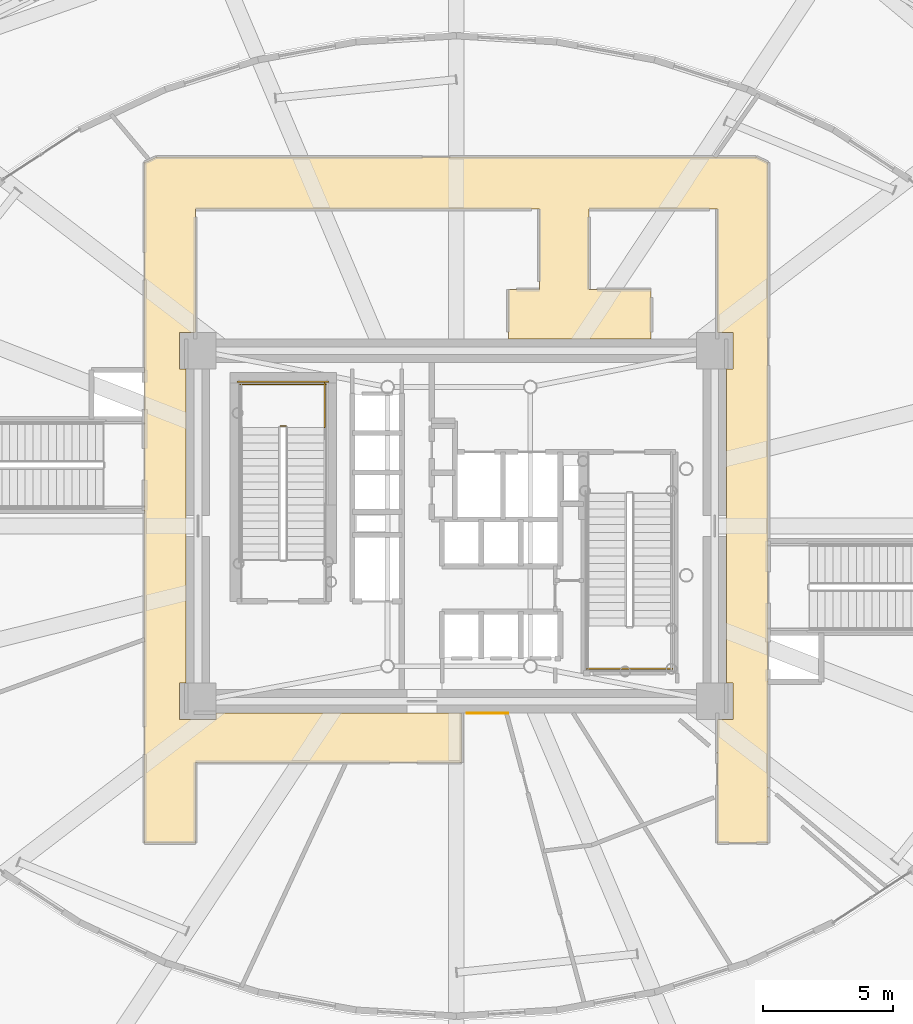
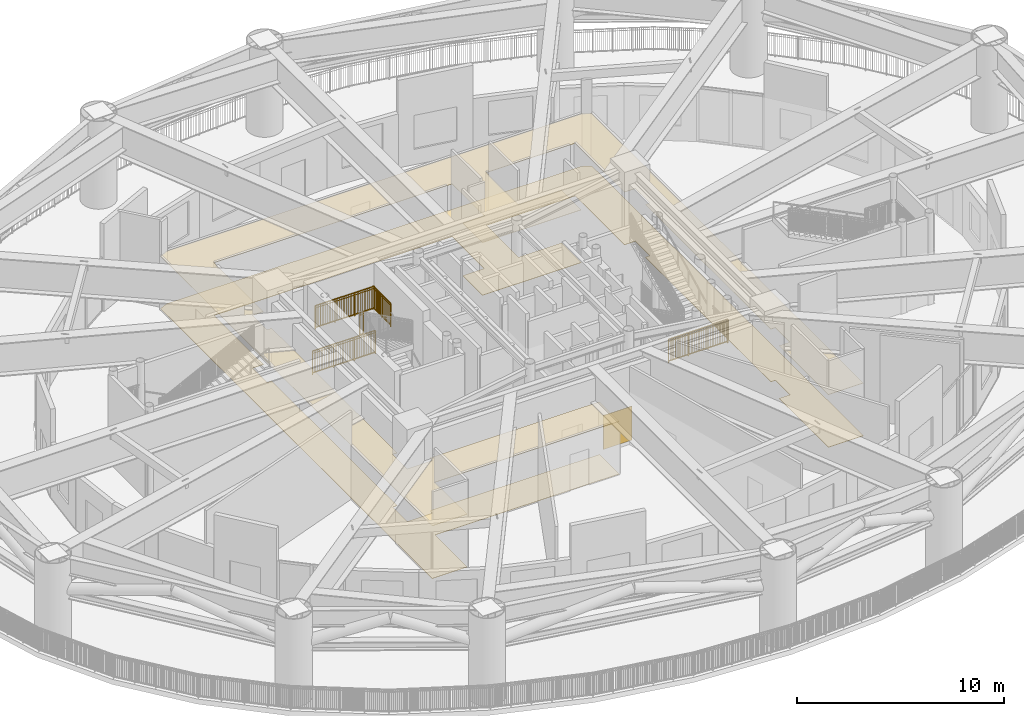
# One storey, part 33 of 39: 5 railings, 3 coverings.
"""IFC4 building model written with IfcOpenShell, lengths in metres."""

from ifc_helpers import new_model, si_unit, direction, frame, origin, origin_2d, place, context, subcontext, project, spatial, polyline, rectangle, outline, extrude, source, transform, mapped, material, layer, layer_set, type_object, element, save


model = new_model("IFC4")

# Units and contexts
model_context = context("Model", 3, precision=1e-05, world=origin(), true_north=direction((0.0, 1.0)))
body_context = subcontext(model_context, "Body", "Model", "MODEL_VIEW")
ifc_project = project(units=[si_unit("LENGTHUNIT", "METRE"), si_unit("AREAUNIT", "SQUARE_METRE"), si_unit("VOLUMEUNIT", "CUBIC_METRE"), si_unit("PLANEANGLEUNIT", "RADIAN"), si_unit("MASSUNIT", "GRAM", prefix="KILO")], contexts=[model_context])

# Site, building, storey
site_placement = place(None, origin())
site = spatial("IfcSite", under=ifc_project, at=site_placement, CompositionType="ELEMENT")
building_placement = place(site_placement, origin())
building = spatial("IfcBuilding", under=site, at=building_placement, Name="Linh Dai School and Residence Tower", CompositionType="ELEMENT")
storey_placement = place(building_placement, frame((0.0, 0.0, 27.0)))
storey = spatial("IfcBuildingStorey", under=building, at=storey_placement, Name="L06", CompositionType="ELEMENT", Elevation=27.0)

# Coverings
ifc_material_1 = material(Name="Mineral Fibre Acoustic Suspended Ceiling", Category="masonry")
ifc_layer_1 = layer(ifc_material_1, 0.02001953125)
ifc_layer_set_1 = layer_set([ifc_layer_1], Name="Mineral Fibre Acoustic Suspended Ceiling")
covering_type_1 = type_object("IfcCoveringType", Name="COV-CEIL-AC-20", PredefinedType="CEILING", material=ifc_layer_set_1)
covering_1_placement = place(storey_placement, frame((0.0, 0.0, 3.10009765625)))
element("IfcCovering", 1, at=covering_1_placement, inside=storey, type_object=covering_type_1, Name="L06 School Circulation Ring Corridor Suspended Ceiling", PredefinedType="CEILING", context=body_context, shape_type="SweptSolid", body=[
    extrude(outline(polyline([(24.0, 40.98583984375), (24.456298828125, 41.199951171875), (47.543701171875, 41.199951171875), (48.0, 40.98583984375), (48.0, 14.800048828125), (46.050048828125, 14.800048828125), (46.050048828125, 19.550048828125), (46.64990234375, 19.550048828125), (46.64990234375, 20.949951171875), (46.39990234375, 20.949951171875), (46.39990234375, 33.050048828125), (46.64990234375, 33.050048828125), (46.64990234375, 34.449951171875), (46.050048828125, 34.449951171875), (46.050048828125, 39.199951171875), (41.10009765625, 39.199951171875), (41.10009765625, 36.10009765625), (43.5, 36.10009765625), (43.5, 34.199951171875), (38.0, 34.199951171875), (38.0, 36.10009765625), (39.199951171875, 36.10009765625), (39.199951171875, 39.199951171875), (25.949951171875, 39.199951171875), (25.949951171875, 34.449951171875), (25.35009765625, 34.449951171875), (25.35009765625, 33.050048828125), (25.60009765625, 33.050048828125), (25.60009765625, 20.949951171875), (25.35009765625, 20.949951171875), (25.35009765625, 19.550048828125), (26.75, 19.550048828125), (26.75, 19.800048828125), (36.199951171875, 19.800048828125), (36.199951171875, 17.89990234375), (25.949951171875, 17.89990234375), (25.949951171875, 14.800048828125), (24.0, 14.800048828125), (24.0, 40.98583984375)])), origin(), (0.0, 0.0, 1.0), 0.02001953125),
])
ifc_material_2 = material(Name="Polished Terrazzo Floor Finish", Category="masonry")
ifc_layer_2 = layer(ifc_material_2, 0.02490234375)
ifc_layer_set_2 = layer_set([ifc_layer_2], Name="Polished Terrazzo Floor Finish")
covering_type_2 = type_object("IfcCoveringType", Name="COV-FLR-TRZ-25", PredefinedType="FLOORING", material=ifc_layer_set_2)
covering_2_placement = place(storey_placement, origin())
element("IfcCovering", 2, at=covering_2_placement, inside=storey, type_object=covering_type_2, Name="L06 School Circulation Ring Corridor Floor Finish", PredefinedType="FLOORING", context=body_context, shape_type="SweptSolid", body=[
    extrude(outline(polyline([(24.0, 40.98583984375), (24.456298828125, 41.199951171875), (47.543701171875, 41.199951171875), (48.0, 40.98583984375), (48.0, 14.800048828125), (46.050048828125, 14.800048828125), (46.050048828125, 19.550048828125), (46.64990234375, 19.550048828125), (46.64990234375, 20.949951171875), (46.39990234375, 20.949951171875), (46.39990234375, 33.050048828125), (46.64990234375, 33.050048828125), (46.64990234375, 34.449951171875), (46.050048828125, 34.449951171875), (46.050048828125, 39.199951171875), (41.10009765625, 39.199951171875), (41.10009765625, 36.10009765625), (43.5, 36.10009765625), (43.5, 34.199951171875), (38.0, 34.199951171875), (38.0, 36.10009765625), (39.199951171875, 36.10009765625), (39.199951171875, 39.199951171875), (25.949951171875, 39.199951171875), (25.949951171875, 34.449951171875), (25.35009765625, 34.449951171875), (25.35009765625, 33.050048828125), (25.60009765625, 33.050048828125), (25.60009765625, 20.949951171875), (25.35009765625, 20.949951171875), (25.35009765625, 19.550048828125), (26.75, 19.550048828125), (26.75, 19.800048828125), (36.199951171875, 19.800048828125), (36.199951171875, 17.89990234375), (25.949951171875, 17.89990234375), (25.949951171875, 14.800048828125), (24.0, 14.800048828125), (24.0, 40.98583984375)])), origin(), (0.0, 0.0, 1.0), 0.02001953125),
])

# Railings
ifc_material_3 = material(Name="Structural Steel S355JR", Category="steel")
railing_type = type_object("IfcRailingType", Name="RL-ST-GUARD-1400", PredefinedType="GUARDRAIL", material=ifc_material_3)
shared_shape_1 = source(origin(), body_context, "Body", "SweptSolid", [
    extrude(rectangle(XDim=0.048095703125, YDim=0.048095703125, at=origin_2d()), frame((0.0, 0.0, 1.3759765625), z_axis=(-1.0, 0.0, 0.0), x_axis=(0.0, -1.0, 0.0)), (0.0, 0.0, 1.0), 0.199951171875),
    extrude(rectangle(XDim=0.048095703125, YDim=0.048095703125, at=origin_2d()), frame((0.0, 0.0, 0.10009765625), z_axis=(-1.0, 0.0, 0.0), x_axis=(0.0, -1.0, 0.0)), (0.0, 0.0, 1.0), 0.199951171875),
    extrude(rectangle(XDim=0.030029296875, YDim=0.030029296875, at=origin_2d()), frame((0.0, 0.0, 1.239990234375), z_axis=(-1.0, 0.0, 0.0), x_axis=(0.0, -1.0, 0.0)), (0.0, 0.0, 1.0), 0.199951171875),
    extrude(rectangle(XDim=0.0419921875, YDim=0.0419921875, at=origin_2d()), origin(), (0.0, 0.0, 1.0), 1.3759765625),
    extrude(rectangle(XDim=0.0419921875, YDim=0.0419921875, at=origin_2d()), frame((-0.199951171875, 0.0, 0.0)), (0.0, 0.0, 1.0), 1.3759765625),
])
railing_1_placement = place(storey_placement, frame((29.429931640625, 30.85009765625, 2.699951171875)))
element("IfcRailing", 3, at=railing_1_placement, inside=storey, type_object=railing_type, Name="L06 ST1 stair guard 2", PredefinedType="GUARDRAIL", context=body_context, shape_type="MappedRepresentation", body=[
    mapped(shared_shape_1, transform((0.0, 0.0, 0.0), x_axis=(1.0, 0.0, 0.0), y_axis=(0.0, 1.0, 0.0), z_axis=(0.0, 0.0, 1.0), scale=1.0)),
])
shared_shape_2 = source(origin(), body_context, "Body", "SweptSolid", [
    extrude(rectangle(XDim=0.048095703125, YDim=0.048095703125, at=origin_2d()), frame((0.0, 0.0, 1.3759765625), z_axis=(-1.0, 0.0, 0.0), x_axis=(0.0, -1.0, 0.0)), (0.0, 0.0, 1.0), 3.300048828125),
    extrude(rectangle(XDim=0.048095703125, YDim=0.048095703125, at=origin_2d()), frame((0.0, 0.0, 0.10009765625), z_axis=(-1.0, 0.0, 0.0), x_axis=(0.0, -1.0, 0.0)), (0.0, 0.0, 1.0), 3.300048828125),
    extrude(rectangle(XDim=0.030029296875, YDim=0.030029296875, at=origin_2d()), frame((0.0, 0.0, 1.239990234375), z_axis=(-1.0, 0.0, 0.0), x_axis=(0.0, -1.0, 0.0)), (0.0, 0.0, 1.0), 3.300048828125),
    extrude(rectangle(XDim=0.02001953125, YDim=0.02001953125, at=origin_2d()), frame((-0.09716796875, 0.0, 0.10009765625)), (0.0, 0.0, 1.0), 1.251708984375),
    extrude(rectangle(XDim=0.02001953125, YDim=0.02001953125, at=origin_2d()), frame((-0.194091796875, 0.0, 0.10009765625)), (0.0, 0.0, 1.0), 1.251708984375),
    extrude(rectangle(XDim=0.02001953125, YDim=0.02001953125, at=origin_2d()), frame((-0.291259765625, 0.0, 0.10009765625)), (0.0, 0.0, 1.0), 1.251708984375),
    extrude(rectangle(XDim=0.02001953125, YDim=0.02001953125, at=origin_2d()), frame((-0.38818359375, 0.0, 0.10009765625)), (0.0, 0.0, 1.0), 1.251708984375),
    extrude(rectangle(XDim=0.02001953125, YDim=0.02001953125, at=origin_2d()), frame((-0.4853515625, 0.0, 0.10009765625)), (0.0, 0.0, 1.0), 1.251708984375),
    extrude(rectangle(XDim=0.02001953125, YDim=0.02001953125, at=origin_2d()), frame((-0.582275390625, 0.0, 0.10009765625)), (0.0, 0.0, 1.0), 1.251708984375),
    extrude(rectangle(XDim=0.02001953125, YDim=0.02001953125, at=origin_2d()), frame((-0.679443359375, 0.0, 0.10009765625)), (0.0, 0.0, 1.0), 1.251708984375),
    extrude(rectangle(XDim=0.02001953125, YDim=0.02001953125, at=origin_2d()), frame((-0.7763671875, 0.0, 0.10009765625)), (0.0, 0.0, 1.0), 1.251708984375),
    extrude(rectangle(XDim=0.02001953125, YDim=0.02001953125, at=origin_2d()), frame((-0.87353515625, 0.0, 0.10009765625)), (0.0, 0.0, 1.0), 1.251708984375),
    extrude(rectangle(XDim=0.02001953125, YDim=0.02001953125, at=origin_2d()), frame((-0.970703125, 0.0, 0.10009765625)), (0.0, 0.0, 1.0), 1.251708984375),
    extrude(rectangle(XDim=0.02001953125, YDim=0.02001953125, at=origin_2d()), frame((-1.164794921875, 0.0, 0.10009765625)), (0.0, 0.0, 1.0), 1.251708984375),
    extrude(rectangle(XDim=0.02001953125, YDim=0.02001953125, at=origin_2d()), frame((-1.26171875, 0.0, 0.10009765625)), (0.0, 0.0, 1.0), 1.251708984375),
    extrude(rectangle(XDim=0.02001953125, YDim=0.02001953125, at=origin_2d()), frame((-1.35888671875, 0.0, 0.10009765625)), (0.0, 0.0, 1.0), 1.251708984375),
    extrude(rectangle(XDim=0.02001953125, YDim=0.02001953125, at=origin_2d()), frame((-1.455810546875, 0.0, 0.10009765625)), (0.0, 0.0, 1.0), 1.251708984375),
    extrude(rectangle(XDim=0.02001953125, YDim=0.02001953125, at=origin_2d()), frame((-1.552978515625, 0.0, 0.10009765625)), (0.0, 0.0, 1.0), 1.251708984375),
    extrude(rectangle(XDim=0.02001953125, YDim=0.02001953125, at=origin_2d()), frame((-1.64990234375, 0.0, 0.10009765625)), (0.0, 0.0, 1.0), 1.251708984375),
    extrude(rectangle(XDim=0.02001953125, YDim=0.02001953125, at=origin_2d()), frame((-1.7470703125, 0.0, 0.10009765625)), (0.0, 0.0, 1.0), 1.251708984375),
    extrude(rectangle(XDim=0.02001953125, YDim=0.02001953125, at=origin_2d()), frame((-1.84423828125, 0.0, 0.10009765625)), (0.0, 0.0, 1.0), 1.251708984375),
    extrude(rectangle(XDim=0.02001953125, YDim=0.02001953125, at=origin_2d()), frame((-1.941162109375, 0.0, 0.10009765625)), (0.0, 0.0, 1.0), 1.251708984375),
    extrude(rectangle(XDim=0.02001953125, YDim=0.02001953125, at=origin_2d()), frame((-2.038330078125, 0.0, 0.10009765625)), (0.0, 0.0, 1.0), 1.251708984375),
    extrude(rectangle(XDim=0.02001953125, YDim=0.02001953125, at=origin_2d()), frame((-2.13525390625, 0.0, 0.10009765625)), (0.0, 0.0, 1.0), 1.251708984375),
    extrude(rectangle(XDim=0.02001953125, YDim=0.02001953125, at=origin_2d()), frame((-2.329345703125, 0.0, 0.10009765625)), (0.0, 0.0, 1.0), 1.251708984375),
    extrude(rectangle(XDim=0.02001953125, YDim=0.02001953125, at=origin_2d()), frame((-2.426513671875, 0.0, 0.10009765625)), (0.0, 0.0, 1.0), 1.251708984375),
    extrude(rectangle(XDim=0.02001953125, YDim=0.02001953125, at=origin_2d()), frame((-2.523681640625, 0.0, 0.10009765625)), (0.0, 0.0, 1.0), 1.251708984375),
    extrude(rectangle(XDim=0.02001953125, YDim=0.02001953125, at=origin_2d()), frame((-2.62060546875, 0.0, 0.10009765625)), (0.0, 0.0, 1.0), 1.251708984375),
    extrude(rectangle(XDim=0.02001953125, YDim=0.02001953125, at=origin_2d()), frame((-2.7177734375, 0.0, 0.10009765625)), (0.0, 0.0, 1.0), 1.251708984375),
    extrude(rectangle(XDim=0.02001953125, YDim=0.02001953125, at=origin_2d()), frame((-2.814697265625, 0.0, 0.10009765625)), (0.0, 0.0, 1.0), 1.251708984375),
    extrude(rectangle(XDim=0.02001953125, YDim=0.02001953125, at=origin_2d()), frame((-2.911865234375, 0.0, 0.10009765625)), (0.0, 0.0, 1.0), 1.251708984375),
    extrude(rectangle(XDim=0.02001953125, YDim=0.02001953125, at=origin_2d()), frame((-3.0087890625, 0.0, 0.10009765625)), (0.0, 0.0, 1.0), 1.251708984375),
    extrude(rectangle(XDim=0.02001953125, YDim=0.02001953125, at=origin_2d()), frame((-3.10595703125, 0.0, 0.10009765625)), (0.0, 0.0, 1.0), 1.251708984375),
    extrude(rectangle(XDim=0.02001953125, YDim=0.02001953125, at=origin_2d()), frame((-3.202880859375, 0.0, 0.10009765625)), (0.0, 0.0, 1.0), 1.251708984375),
    extrude(rectangle(XDim=0.0419921875, YDim=0.0419921875, at=origin_2d()), origin(), (0.0, 0.0, 1.0), 1.3759765625),
    extrude(rectangle(XDim=0.0419921875, YDim=0.0419921875, at=origin_2d()), frame((-1.10009765625, 0.0, 0.0)), (0.0, 0.0, 1.0), 1.3759765625),
    extrude(rectangle(XDim=0.0419921875, YDim=0.0419921875, at=origin_2d()), frame((-2.199951171875, 0.0, 0.0)), (0.0, 0.0, 1.0), 1.3759765625),
    extrude(rectangle(XDim=0.0419921875, YDim=0.0419921875, at=origin_2d()), frame((-3.300048828125, 0.0, 0.0)), (0.0, 0.0, 1.0), 1.3759765625),
])
railing_2_placement = place(storey_placement, frame((30.97998046875, 32.449951171875, 2.699951171875)))
element("IfcRailing", 4, at=railing_2_placement, inside=storey, type_object=railing_type, Name="L06 ST1 stair guard 5", PredefinedType="GUARDRAIL", context=body_context, shape_type="MappedRepresentation", body=[
    mapped(shared_shape_2, transform((0.0, 0.0, 0.0), x_axis=(1.0, 0.0, 0.0), y_axis=(0.0, 1.0, 0.0), z_axis=(0.0, 0.0, 1.0), scale=1.0)),
])
shared_shape_3 = source(origin(), body_context, "Body", "SweptSolid", [
    extrude(rectangle(XDim=0.048095703125, YDim=0.048095703125, at=origin_2d()), frame((0.0, 0.0, 1.3759765625), z_axis=(-1.0, 0.0, 0.0), x_axis=(0.0, -1.0, 0.0)), (0.0, 0.0, 1.0), 3.5),
    extrude(rectangle(XDim=0.048095703125, YDim=0.048095703125, at=origin_2d()), frame((0.0, 0.0, 0.10009765625), z_axis=(-1.0, 0.0, 0.0), x_axis=(0.0, -1.0, 0.0)), (0.0, 0.0, 1.0), 3.5),
    extrude(rectangle(XDim=0.030029296875, YDim=0.030029296875, at=origin_2d()), frame((0.0, 0.0, 1.239990234375), z_axis=(-1.0, 0.0, 0.0), x_axis=(0.0, -1.0, 0.0)), (0.0, 0.0, 1.0), 3.5),
    extrude(rectangle(XDim=0.02001953125, YDim=0.02001953125, at=origin_2d()), frame((-0.09716796875, 0.0, 0.10009765625)), (0.0, 0.0, 1.0), 1.251708984375),
    extrude(rectangle(XDim=0.02001953125, YDim=0.02001953125, at=origin_2d()), frame((-0.1943359375, 0.0, 0.10009765625)), (0.0, 0.0, 1.0), 1.251708984375),
    extrude(rectangle(XDim=0.02001953125, YDim=0.02001953125, at=origin_2d()), frame((-0.291748046875, 0.0, 0.10009765625)), (0.0, 0.0, 1.0), 1.251708984375),
    extrude(rectangle(XDim=0.02001953125, YDim=0.02001953125, at=origin_2d()), frame((-0.388916015625, 0.0, 0.10009765625)), (0.0, 0.0, 1.0), 1.251708984375),
    extrude(rectangle(XDim=0.02001953125, YDim=0.02001953125, at=origin_2d()), frame((-0.486083984375, 0.0, 0.10009765625)), (0.0, 0.0, 1.0), 1.251708984375),
    extrude(rectangle(XDim=0.02001953125, YDim=0.02001953125, at=origin_2d()), frame((-0.583251953125, 0.0, 0.10009765625)), (0.0, 0.0, 1.0), 1.251708984375),
    extrude(rectangle(XDim=0.02001953125, YDim=0.02001953125, at=origin_2d()), frame((-0.6806640625, 0.0, 0.10009765625)), (0.0, 0.0, 1.0), 1.251708984375),
    extrude(rectangle(XDim=0.02001953125, YDim=0.02001953125, at=origin_2d()), frame((-0.77783203125, 0.0, 0.10009765625)), (0.0, 0.0, 1.0), 1.251708984375),
    extrude(rectangle(XDim=0.02001953125, YDim=0.02001953125, at=origin_2d()), frame((-0.875, 0.0, 0.10009765625)), (0.0, 0.0, 1.0), 1.251708984375),
    extrude(rectangle(XDim=0.02001953125, YDim=0.02001953125, at=origin_2d()), frame((-0.97216796875, 0.0, 0.10009765625)), (0.0, 0.0, 1.0), 1.251708984375),
    extrude(rectangle(XDim=0.02001953125, YDim=0.02001953125, at=origin_2d()), frame((-1.0693359375, 0.0, 0.10009765625)), (0.0, 0.0, 1.0), 1.251708984375),
    extrude(rectangle(XDim=0.02001953125, YDim=0.02001953125, at=origin_2d()), frame((-1.263916015625, 0.0, 0.10009765625)), (0.0, 0.0, 1.0), 1.251708984375),
    extrude(rectangle(XDim=0.02001953125, YDim=0.02001953125, at=origin_2d()), frame((-1.361083984375, 0.0, 0.10009765625)), (0.0, 0.0, 1.0), 1.251708984375),
    extrude(rectangle(XDim=0.02001953125, YDim=0.02001953125, at=origin_2d()), frame((-1.458251953125, 0.0, 0.10009765625)), (0.0, 0.0, 1.0), 1.251708984375),
    extrude(rectangle(XDim=0.02001953125, YDim=0.02001953125, at=origin_2d()), frame((-1.5556640625, 0.0, 0.10009765625)), (0.0, 0.0, 1.0), 1.251708984375),
    extrude(rectangle(XDim=0.02001953125, YDim=0.02001953125, at=origin_2d()), frame((-1.65283203125, 0.0, 0.10009765625)), (0.0, 0.0, 1.0), 1.251708984375),
    extrude(rectangle(XDim=0.02001953125, YDim=0.02001953125, at=origin_2d()), frame((-1.75, 0.0, 0.10009765625)), (0.0, 0.0, 1.0), 1.251708984375),
    extrude(rectangle(XDim=0.02001953125, YDim=0.02001953125, at=origin_2d()), frame((-1.84716796875, 0.0, 0.10009765625)), (0.0, 0.0, 1.0), 1.251708984375),
    extrude(rectangle(XDim=0.02001953125, YDim=0.02001953125, at=origin_2d()), frame((-1.9443359375, 0.0, 0.10009765625)), (0.0, 0.0, 1.0), 1.251708984375),
    extrude(rectangle(XDim=0.02001953125, YDim=0.02001953125, at=origin_2d()), frame((-2.041748046875, 0.0, 0.10009765625)), (0.0, 0.0, 1.0), 1.251708984375),
    extrude(rectangle(XDim=0.02001953125, YDim=0.02001953125, at=origin_2d()), frame((-2.138916015625, 0.0, 0.10009765625)), (0.0, 0.0, 1.0), 1.251708984375),
    extrude(rectangle(XDim=0.02001953125, YDim=0.02001953125, at=origin_2d()), frame((-2.236083984375, 0.0, 0.10009765625)), (0.0, 0.0, 1.0), 1.251708984375),
    extrude(rectangle(XDim=0.02001953125, YDim=0.02001953125, at=origin_2d()), frame((-2.4306640625, 0.0, 0.10009765625)), (0.0, 0.0, 1.0), 1.251708984375),
    extrude(rectangle(XDim=0.02001953125, YDim=0.02001953125, at=origin_2d()), frame((-2.52783203125, 0.0, 0.10009765625)), (0.0, 0.0, 1.0), 1.251708984375),
    extrude(rectangle(XDim=0.02001953125, YDim=0.02001953125, at=origin_2d()), frame((-2.625, 0.0, 0.10009765625)), (0.0, 0.0, 1.0), 1.251708984375),
    extrude(rectangle(XDim=0.02001953125, YDim=0.02001953125, at=origin_2d()), frame((-2.72216796875, 0.0, 0.10009765625)), (0.0, 0.0, 1.0), 1.251708984375),
    extrude(rectangle(XDim=0.02001953125, YDim=0.02001953125, at=origin_2d()), frame((-2.8193359375, 0.0, 0.10009765625)), (0.0, 0.0, 1.0), 1.251708984375),
    extrude(rectangle(XDim=0.02001953125, YDim=0.02001953125, at=origin_2d()), frame((-2.916748046875, 0.0, 0.10009765625)), (0.0, 0.0, 1.0), 1.251708984375),
    extrude(rectangle(XDim=0.02001953125, YDim=0.02001953125, at=origin_2d()), frame((-3.013916015625, 0.0, 0.10009765625)), (0.0, 0.0, 1.0), 1.251708984375),
    extrude(rectangle(XDim=0.02001953125, YDim=0.02001953125, at=origin_2d()), frame((-3.111083984375, 0.0, 0.10009765625)), (0.0, 0.0, 1.0), 1.251708984375),
    extrude(rectangle(XDim=0.02001953125, YDim=0.02001953125, at=origin_2d()), frame((-3.208251953125, 0.0, 0.10009765625)), (0.0, 0.0, 1.0), 1.251708984375),
    extrude(rectangle(XDim=0.02001953125, YDim=0.02001953125, at=origin_2d()), frame((-3.3056640625, 0.0, 0.10009765625)), (0.0, 0.0, 1.0), 1.251708984375),
    extrude(rectangle(XDim=0.02001953125, YDim=0.02001953125, at=origin_2d()), frame((-3.40283203125, 0.0, 0.10009765625)), (0.0, 0.0, 1.0), 1.251708984375),
    extrude(rectangle(XDim=0.0419921875, YDim=0.0419921875, at=origin_2d()), origin(), (0.0, 0.0, 1.0), 1.3759765625),
    extrude(rectangle(XDim=0.0419921875, YDim=0.0419921875, at=origin_2d()), frame((-1.166748046875, 0.0, 0.0)), (0.0, 0.0, 1.0), 1.3759765625),
    extrude(rectangle(XDim=0.0419921875, YDim=0.0419921875, at=origin_2d()), frame((-2.333251953125, 0.0, 0.0)), (0.0, 0.0, 1.0), 1.3759765625),
    extrude(rectangle(XDim=0.0419921875, YDim=0.0419921875, at=origin_2d()), frame((-3.5, 0.0, 0.0)), (0.0, 0.0, 1.0), 1.3759765625),
])
railing_3_placement = place(storey_placement, frame((31.080078125, 32.550048828125, 0.0)))
element("IfcRailing", 5, at=railing_3_placement, inside=storey, type_object=railing_type, Name="L06 ST1 stair guard 12", PredefinedType="GUARDRAIL", context=body_context, shape_type="MappedRepresentation", body=[
    mapped(shared_shape_3, transform((0.0, 0.0, 0.0), x_axis=(1.0, 0.0, 0.0), y_axis=(0.0, 1.0, 0.0), z_axis=(0.0, 0.0, 1.0), scale=1.0)),
])
shared_shape_4 = source(origin(), body_context, "Body", "SweptSolid", [
    extrude(rectangle(XDim=0.048095703125, YDim=0.048095703125, at=origin_2d()), frame((0.0, 0.0, 1.3759765625), z_axis=(0.0, 1.0, 0.0), x_axis=(-1.0, 0.0, 0.0)), (0.0, 0.0, 1.0), 1.699951171875),
    extrude(rectangle(XDim=0.048095703125, YDim=0.048095703125, at=origin_2d()), frame((0.0, 0.0, 0.10009765625), z_axis=(0.0, 1.0, 0.0), x_axis=(-1.0, 0.0, 0.0)), (0.0, 0.0, 1.0), 1.699951171875),
    extrude(rectangle(XDim=0.030029296875, YDim=0.030029296875, at=origin_2d()), frame((0.0, 0.0, 1.239990234375), z_axis=(0.0, 1.0, 0.0), x_axis=(-1.0, 0.0, 0.0)), (0.0, 0.0, 1.0), 1.699951171875),
    extrude(rectangle(XDim=0.02001953125, YDim=0.02001953125, at=origin_2d()), frame((0.0, 0.094482421875, 0.10009765625)), (0.0, 0.0, 1.0), 1.251708984375),
    extrude(rectangle(XDim=0.02001953125, YDim=0.02001953125, at=origin_2d()), frame((0.0, 0.18896484375, 0.10009765625)), (0.0, 0.0, 1.0), 1.251708984375),
    extrude(rectangle(XDim=0.02001953125, YDim=0.02001953125, at=origin_2d()), frame((0.0, 0.283203125, 0.10009765625)), (0.0, 0.0, 1.0), 1.251708984375),
    extrude(rectangle(XDim=0.02001953125, YDim=0.02001953125, at=origin_2d()), frame((0.0, 0.377685546875, 0.10009765625)), (0.0, 0.0, 1.0), 1.251708984375),
    extrude(rectangle(XDim=0.02001953125, YDim=0.02001953125, at=origin_2d()), frame((0.0, 0.47216796875, 0.10009765625)), (0.0, 0.0, 1.0), 1.251708984375),
    extrude(rectangle(XDim=0.02001953125, YDim=0.02001953125, at=origin_2d()), frame((0.0, 0.566650390625, 0.10009765625)), (0.0, 0.0, 1.0), 1.251708984375),
    extrude(rectangle(XDim=0.02001953125, YDim=0.02001953125, at=origin_2d()), frame((0.0, 0.6611328125, 0.10009765625)), (0.0, 0.0, 1.0), 1.251708984375),
    extrude(rectangle(XDim=0.02001953125, YDim=0.02001953125, at=origin_2d()), frame((0.0, 0.755615234375, 0.10009765625)), (0.0, 0.0, 1.0), 1.251708984375),
    extrude(rectangle(XDim=0.02001953125, YDim=0.02001953125, at=origin_2d()), frame((0.0, 0.9443359375, 0.10009765625)), (0.0, 0.0, 1.0), 1.251708984375),
    extrude(rectangle(XDim=0.02001953125, YDim=0.02001953125, at=origin_2d()), frame((0.0, 1.038818359375, 0.10009765625)), (0.0, 0.0, 1.0), 1.251708984375),
    extrude(rectangle(XDim=0.02001953125, YDim=0.02001953125, at=origin_2d()), frame((0.0, 1.13330078125, 0.10009765625)), (0.0, 0.0, 1.0), 1.251708984375),
    extrude(rectangle(XDim=0.02001953125, YDim=0.02001953125, at=origin_2d()), frame((0.0, 1.227783203125, 0.10009765625)), (0.0, 0.0, 1.0), 1.251708984375),
    extrude(rectangle(XDim=0.02001953125, YDim=0.02001953125, at=origin_2d()), frame((0.0, 1.322265625, 0.10009765625)), (0.0, 0.0, 1.0), 1.251708984375),
    extrude(rectangle(XDim=0.02001953125, YDim=0.02001953125, at=origin_2d()), frame((0.0, 1.41650390625, 0.10009765625)), (0.0, 0.0, 1.0), 1.251708984375),
    extrude(rectangle(XDim=0.02001953125, YDim=0.02001953125, at=origin_2d()), frame((0.0, 1.510986328125, 0.10009765625)), (0.0, 0.0, 1.0), 1.251708984375),
    extrude(rectangle(XDim=0.02001953125, YDim=0.02001953125, at=origin_2d()), frame((0.0, 1.60546875, 0.10009765625)), (0.0, 0.0, 1.0), 1.251708984375),
    extrude(rectangle(XDim=0.0419921875, YDim=0.0419921875, at=origin_2d()), origin(), (0.0, 0.0, 1.0), 1.3759765625),
    extrude(rectangle(XDim=0.0419921875, YDim=0.0419921875, at=origin_2d()), frame((0.0, 0.85009765625, 0.0)), (0.0, 0.0, 1.0), 1.3759765625),
    extrude(rectangle(XDim=0.0419921875, YDim=0.0419921875, at=origin_2d()), frame((0.0, 1.699951171875, 0.0)), (0.0, 0.0, 1.0), 1.3759765625),
])
railing_4_placement = place(storey_placement, frame((30.929931640625, 30.800048828125, 2.699951171875)))
element("IfcRailing", 6, at=railing_4_placement, inside=storey, type_object=railing_type, Name="L06 ST1 stair guard 3", PredefinedType="GUARDRAIL", context=body_context, shape_type="MappedRepresentation", body=[
    mapped(shared_shape_4, transform((0.0, 0.0, 0.0), x_axis=(1.0, 0.0, 0.0), y_axis=(0.0, 1.0, 0.0), z_axis=(0.0, 0.0, 1.0), scale=1.0)),
])
shared_shape_5 = source(origin(), body_context, "Body", "SweptSolid", [
    extrude(rectangle(XDim=0.048095703125, YDim=0.048095703125, at=origin_2d()), frame((0.0, 0.0, 1.3759765625), z_axis=(1.0, 0.0, 0.0), x_axis=(0.0, 1.0, 0.0)), (0.0, 0.0, 1.0), 3.300048828125),
    extrude(rectangle(XDim=0.048095703125, YDim=0.048095703125, at=origin_2d()), frame((0.0, 0.0, 0.10009765625), z_axis=(1.0, 0.0, 0.0), x_axis=(0.0, 1.0, 0.0)), (0.0, 0.0, 1.0), 3.300048828125),
    extrude(rectangle(XDim=0.030029296875, YDim=0.030029296875, at=origin_2d()), frame((0.0, 0.0, 1.239990234375), z_axis=(1.0, 0.0, 0.0), x_axis=(0.0, 1.0, 0.0)), (0.0, 0.0, 1.0), 3.300048828125),
    extrude(rectangle(XDim=0.02001953125, YDim=0.02001953125, at=origin_2d()), frame((0.09716796875, 0.0, 0.10009765625)), (0.0, 0.0, 1.0), 1.251708984375),
    extrude(rectangle(XDim=0.02001953125, YDim=0.02001953125, at=origin_2d()), frame((0.194091796875, 0.0, 0.10009765625)), (0.0, 0.0, 1.0), 1.251708984375),
    extrude(rectangle(XDim=0.02001953125, YDim=0.02001953125, at=origin_2d()), frame((0.291259765625, 0.0, 0.10009765625)), (0.0, 0.0, 1.0), 1.251708984375),
    extrude(rectangle(XDim=0.02001953125, YDim=0.02001953125, at=origin_2d()), frame((0.38818359375, 0.0, 0.10009765625)), (0.0, 0.0, 1.0), 1.251708984375),
    extrude(rectangle(XDim=0.02001953125, YDim=0.02001953125, at=origin_2d()), frame((0.4853515625, 0.0, 0.10009765625)), (0.0, 0.0, 1.0), 1.251708984375),
    extrude(rectangle(XDim=0.02001953125, YDim=0.02001953125, at=origin_2d()), frame((0.582275390625, 0.0, 0.10009765625)), (0.0, 0.0, 1.0), 1.251708984375),
    extrude(rectangle(XDim=0.02001953125, YDim=0.02001953125, at=origin_2d()), frame((0.679443359375, 0.0, 0.10009765625)), (0.0, 0.0, 1.0), 1.251708984375),
    extrude(rectangle(XDim=0.02001953125, YDim=0.02001953125, at=origin_2d()), frame((0.7763671875, 0.0, 0.10009765625)), (0.0, 0.0, 1.0), 1.251708984375),
    extrude(rectangle(XDim=0.02001953125, YDim=0.02001953125, at=origin_2d()), frame((0.87353515625, 0.0, 0.10009765625)), (0.0, 0.0, 1.0), 1.251708984375),
    extrude(rectangle(XDim=0.02001953125, YDim=0.02001953125, at=origin_2d()), frame((0.970703125, 0.0, 0.10009765625)), (0.0, 0.0, 1.0), 1.251708984375),
    extrude(rectangle(XDim=0.02001953125, YDim=0.02001953125, at=origin_2d()), frame((1.164794921875, 0.0, 0.10009765625)), (0.0, 0.0, 1.0), 1.251708984375),
    extrude(rectangle(XDim=0.02001953125, YDim=0.02001953125, at=origin_2d()), frame((1.26171875, 0.0, 0.10009765625)), (0.0, 0.0, 1.0), 1.251708984375),
    extrude(rectangle(XDim=0.02001953125, YDim=0.02001953125, at=origin_2d()), frame((1.35888671875, 0.0, 0.10009765625)), (0.0, 0.0, 1.0), 1.251708984375),
    extrude(rectangle(XDim=0.02001953125, YDim=0.02001953125, at=origin_2d()), frame((1.455810546875, 0.0, 0.10009765625)), (0.0, 0.0, 1.0), 1.251708984375),
    extrude(rectangle(XDim=0.02001953125, YDim=0.02001953125, at=origin_2d()), frame((1.552978515625, 0.0, 0.10009765625)), (0.0, 0.0, 1.0), 1.251708984375),
    extrude(rectangle(XDim=0.02001953125, YDim=0.02001953125, at=origin_2d()), frame((1.64990234375, 0.0, 0.10009765625)), (0.0, 0.0, 1.0), 1.251708984375),
    extrude(rectangle(XDim=0.02001953125, YDim=0.02001953125, at=origin_2d()), frame((1.7470703125, 0.0, 0.10009765625)), (0.0, 0.0, 1.0), 1.251708984375),
    extrude(rectangle(XDim=0.02001953125, YDim=0.02001953125, at=origin_2d()), frame((1.84423828125, 0.0, 0.10009765625)), (0.0, 0.0, 1.0), 1.251708984375),
    extrude(rectangle(XDim=0.02001953125, YDim=0.02001953125, at=origin_2d()), frame((1.941162109375, 0.0, 0.10009765625)), (0.0, 0.0, 1.0), 1.251708984375),
    extrude(rectangle(XDim=0.02001953125, YDim=0.02001953125, at=origin_2d()), frame((2.038330078125, 0.0, 0.10009765625)), (0.0, 0.0, 1.0), 1.251708984375),
    extrude(rectangle(XDim=0.02001953125, YDim=0.02001953125, at=origin_2d()), frame((2.13525390625, 0.0, 0.10009765625)), (0.0, 0.0, 1.0), 1.251708984375),
    extrude(rectangle(XDim=0.02001953125, YDim=0.02001953125, at=origin_2d()), frame((2.329345703125, 0.0, 0.10009765625)), (0.0, 0.0, 1.0), 1.251708984375),
    extrude(rectangle(XDim=0.02001953125, YDim=0.02001953125, at=origin_2d()), frame((2.426513671875, 0.0, 0.10009765625)), (0.0, 0.0, 1.0), 1.251708984375),
    extrude(rectangle(XDim=0.02001953125, YDim=0.02001953125, at=origin_2d()), frame((2.523681640625, 0.0, 0.10009765625)), (0.0, 0.0, 1.0), 1.251708984375),
    extrude(rectangle(XDim=0.02001953125, YDim=0.02001953125, at=origin_2d()), frame((2.62060546875, 0.0, 0.10009765625)), (0.0, 0.0, 1.0), 1.251708984375),
    extrude(rectangle(XDim=0.02001953125, YDim=0.02001953125, at=origin_2d()), frame((2.7177734375, 0.0, 0.10009765625)), (0.0, 0.0, 1.0), 1.251708984375),
    extrude(rectangle(XDim=0.02001953125, YDim=0.02001953125, at=origin_2d()), frame((2.814697265625, 0.0, 0.10009765625)), (0.0, 0.0, 1.0), 1.251708984375),
    extrude(rectangle(XDim=0.02001953125, YDim=0.02001953125, at=origin_2d()), frame((2.911865234375, 0.0, 0.10009765625)), (0.0, 0.0, 1.0), 1.251708984375),
    extrude(rectangle(XDim=0.02001953125, YDim=0.02001953125, at=origin_2d()), frame((3.0087890625, 0.0, 0.10009765625)), (0.0, 0.0, 1.0), 1.251708984375),
    extrude(rectangle(XDim=0.02001953125, YDim=0.02001953125, at=origin_2d()), frame((3.10595703125, 0.0, 0.10009765625)), (0.0, 0.0, 1.0), 1.251708984375),
    extrude(rectangle(XDim=0.02001953125, YDim=0.02001953125, at=origin_2d()), frame((3.202880859375, 0.0, 0.10009765625)), (0.0, 0.0, 1.0), 1.251708984375),
    extrude(rectangle(XDim=0.0419921875, YDim=0.0419921875, at=origin_2d()), origin(), (0.0, 0.0, 1.0), 1.3759765625),
    extrude(rectangle(XDim=0.0419921875, YDim=0.0419921875, at=origin_2d()), frame((1.10009765625, 0.0, 0.0)), (0.0, 0.0, 1.0), 1.3759765625),
    extrude(rectangle(XDim=0.0419921875, YDim=0.0419921875, at=origin_2d()), frame((2.199951171875, 0.0, 0.0)), (0.0, 0.0, 1.0), 1.3759765625),
    extrude(rectangle(XDim=0.0419921875, YDim=0.0419921875, at=origin_2d()), frame((3.300048828125, 0.0, 0.0)), (0.0, 0.0, 1.0), 1.3759765625),
])
railing_5_placement = place(storey_placement, frame((41.02001953125, 21.5, 2.699951171875)))
element("IfcRailing", 7, at=railing_5_placement, inside=storey, type_object=railing_type, Name="L06 ST2 stair guard 5", PredefinedType="GUARDRAIL", context=body_context, shape_type="MappedRepresentation", body=[
    mapped(shared_shape_5, transform((0.0, 0.0, 0.0), x_axis=(1.0, 0.0, 0.0), y_axis=(0.0, 1.0, 0.0), z_axis=(0.0, 0.0, 1.0), scale=1.0)),
])

# Covering
ifc_material_4 = material(Name="Glazed Terracotta Acoustic Feature Cladding", Category="masonry")
ifc_layer_3 = layer(ifc_material_4, 0.030029296875)
ifc_layer_set_3 = layer_set([ifc_layer_3], Name="Glazed Terracotta Acoustic Feature Cladding")
covering_type_3 = type_object("IfcCoveringType", Name="COV-CLAD-TC-30", PredefinedType="CLADDING", material=ifc_layer_set_3)
shared_shape_6 = source(origin(), body_context, "Body", "SweptSolid", [
    extrude(rectangle(XDim=1.60009765625, YDim=0.030029296875, at=origin_2d()), origin(), (0.0, 0.0, 1.0), 2.0),
])
covering_3_placement = place(storey_placement, frame((37.199951171875, 19.784912109375, 0.25), z_axis=(0.0, 0.0, 1.0), x_axis=(1.0, 0.0, 0.0)))
element("IfcCovering", 8, at=covering_3_placement, inside=storey, type_object=covering_type_3, Name="L06 Core Lobby Terracotta Feature Cladding", PredefinedType="CLADDING", context=body_context, shape_type="MappedRepresentation", body=[
    mapped(shared_shape_6, transform((0.0, 0.0, 0.0), x_axis=(1.0, 0.0, 0.0), y_axis=(0.0, 1.0, 0.0), z_axis=(0.0, 0.0, 1.0), scale=1.0)),
])

save(model, "model.ifc")
